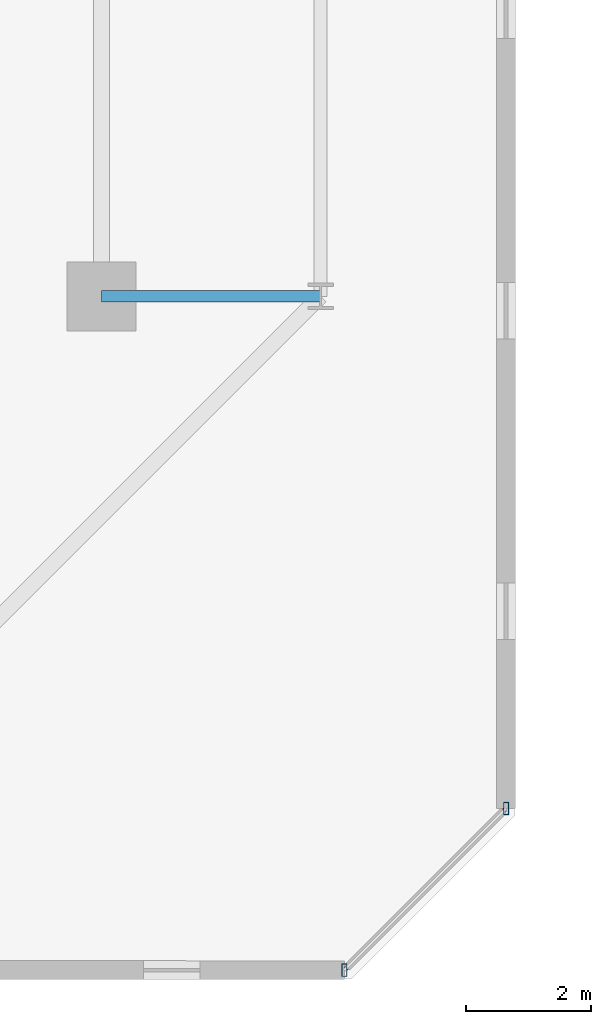
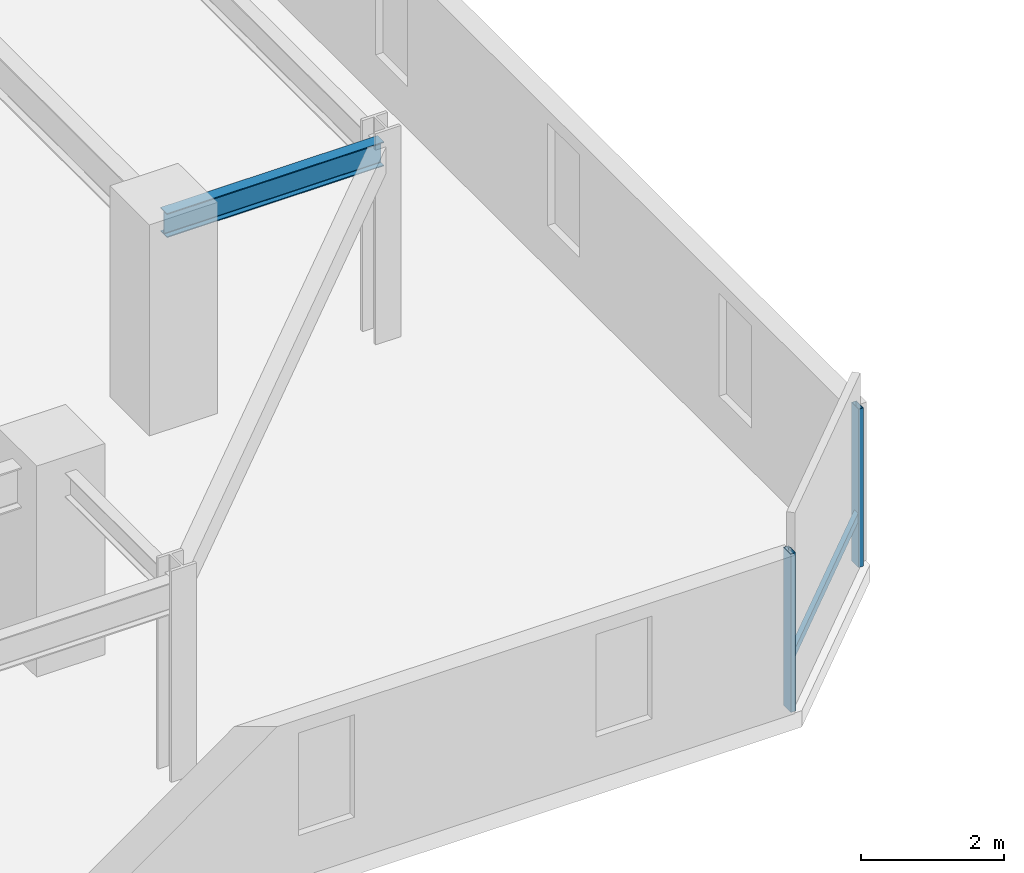
# One storey, part 5 of 30: 3 members, 1 beam, 1 element without a shape of its own.
"""IFC4 building model written with IfcOpenShell, lengths in metres."""

from ifc_helpers import new_model, si_unit, direction, frame, origin, origin_2d, place, context, subcontext, project, spatial, hollow_rectangle, i_section, extrude, material, material_profile, profile_set, type_object, element, aggregate, save


model = new_model("IFC4")

# Units and contexts
model_context = context("Model", 3, precision=1e-05, world=origin(), true_north=direction((0.0, 1.0)))
body_context = subcontext(model_context, "Body", "Model", "MODEL_VIEW")
ifc_project = project(units=[si_unit("LENGTHUNIT", "METRE"), si_unit("AREAUNIT", "SQUARE_METRE"), si_unit("VOLUMEUNIT", "CUBIC_METRE"), si_unit("PLANEANGLEUNIT", "RADIAN"), si_unit("MASSUNIT", "GRAM", prefix="KILO")], contexts=[model_context])

# Site, building, storey
site_placement = place(None, origin())
site = spatial("IfcSite", under=ifc_project, at=site_placement, CompositionType="ELEMENT")
building_placement = place(site_placement, origin())
building = spatial("IfcBuilding", under=site, at=building_placement, Name="Thornwick Lancets Civic Towers", CompositionType="ELEMENT")
storey_placement = place(building_placement, frame((0.0, 0.0, 149.10009765625)))
storey = spatial("IfcBuildingStorey", under=building, at=storey_placement, Name="L39", CompositionType="ELEMENT", Elevation=149.10009765625)

# Beam
ifc_material_1 = material(Name="Steel S355JR", Category="steel")
ifc_material_profile_1 = material_profile(ifc_material_1, i_section(OverallWidth=0.179443359375, OverallDepth=0.412841796875, WebThickness=0.009521484375, FlangeThickness=0.01611328125, FilletRadius=0.01025390625, at=origin_2d()), Name="UKB 406x178x74")
ifc_profile_set_1 = profile_set([ifc_material_profile_1], Name="Steel S355JR")
beam_type = type_object("IfcBeamType", Name="BM_JOIST_406_74", PredefinedType="JOIST", material=ifc_profile_set_1)
beam_placement = place(storey_placement, frame((42.800048828125, 14.0, 3.113525390625), z_axis=(1.0, 0.0, 0.0), x_axis=(0.0, 1.0, 0.0)))
element("IfcBeam", 1, at=beam_placement, inside=storey, type_object=beam_type, Name="BM-RAD-L39-A04", PredefinedType="JOIST", context=body_context, shape_type="SweptSolid", body=[
    extrude(i_section(OverallWidth=0.179443359375, OverallDepth=0.412841796875, WebThickness=0.009521484375, FlangeThickness=0.01611328125, FilletRadius=0.01025390625, at=origin_2d()), origin(), (0.0, 0.0, 1.0), 3.5),
])

# Curtain wall, members
ifc_material_2 = material(Name="Mid-zone chamfered-corner unitised glass curtain wall", Category="glass")
curtain_wall_type = type_object("IfcCurtainWallType", Name="CW_SYS_04", PredefinedType="NOTDEFINED", material=ifc_material_2)
curtain_wall_placement = place(storey_placement, origin())
curtain_wall = element("IfcCurtainWall", 2, at=curtain_wall_placement, inside=storey, type_object=curtain_wall_type, Name="L39 Curtain Wall CW-L39-A-E1", PredefinedType="NOTDEFINED")
ifc_material_3 = material(Name="Thermally broken bronze aluminium S355", Category="steel")
ifc_material_profile_2 = material_profile(ifc_material_3, hollow_rectangle(XDim=0.080078125, YDim=0.199951171875, WallThickness=0.006103515625, at=origin_2d()), Name="RHS 200x80x6")
ifc_profile_set_2 = profile_set([ifc_material_profile_2], Name="Thermally broken bronze aluminium S355")
member_type_1 = type_object("IfcMemberType", Name="CW_MUL_200", PredefinedType="MULLION", material=ifc_profile_set_2)
member_1_placement = place(storey_placement, frame((46.681396484375, 3.2353515625, 0.0), z_axis=(0.0, 0.0, 1.0), x_axis=(1.0, 0.0, 0.0)))
member_1 = element("IfcMember", 3, at=member_1_placement, type_object=member_type_1, Name="CW-L39-A-E1 Mullion 0", PredefinedType="MULLION", context=body_context, shape_type="SweptSolid", body=[
    extrude(hollow_rectangle(XDim=0.080078125, YDim=0.199951171875, WallThickness=0.006103515625, at=origin_2d()), origin(), (0.0, 0.0, 1.0), 2.699951171875),
])
member_2_placement = place(storey_placement, frame((49.2646484375, 5.818603515625, 0.0), z_axis=(0.0, 0.0, 1.0), x_axis=(1.0, 0.0, 0.0)))
member_2 = element("IfcMember", 4, at=member_2_placement, type_object=member_type_1, Name="CW-L39-A-E1 Mullion 1", PredefinedType="MULLION", context=body_context, shape_type="SweptSolid", body=[
    extrude(hollow_rectangle(XDim=0.080078125, YDim=0.199951171875, WallThickness=0.006103515625, at=origin_2d()), origin(), (0.0, 0.0, 1.0), 2.699951171875),
])
ifc_material_profile_3 = material_profile(ifc_material_3, hollow_rectangle(XDim=0.074951171875, YDim=0.14990234375, WallThickness=0.0048828125, at=origin_2d()), Name="RHS 150x75x5")
ifc_profile_set_3 = profile_set([ifc_material_profile_3], Name="Thermally broken bronze aluminium S355")
member_type_2 = type_object("IfcMemberType", Name="CW_TRN_150", PredefinedType="USERDEFINED", material=ifc_profile_set_3)
member_3_placement = place(storey_placement, frame((46.695556640625, 3.24951171875, 0.849853515625), z_axis=(0.707106781187, 0.707106781187, 0.0), x_axis=(-0.707106781187, 0.707106781187, 0.0)))
member_3 = element("IfcMember", 5, at=member_3_placement, type_object=member_type_2, Name="CW-L39-A-E1 Transom 0", ObjectType="TRANSOM", PredefinedType="USERDEFINED", context=body_context, shape_type="SweptSolid", body=[
    extrude(hollow_rectangle(XDim=0.074951171875, YDim=0.14990234375, WallThickness=0.0048828125, at=origin_2d()), origin(), (0.0, 0.0, 1.0), 3.61328125),
])
aggregate(curtain_wall, [member_1, member_2, member_3])

save(model, "model.ifc")
